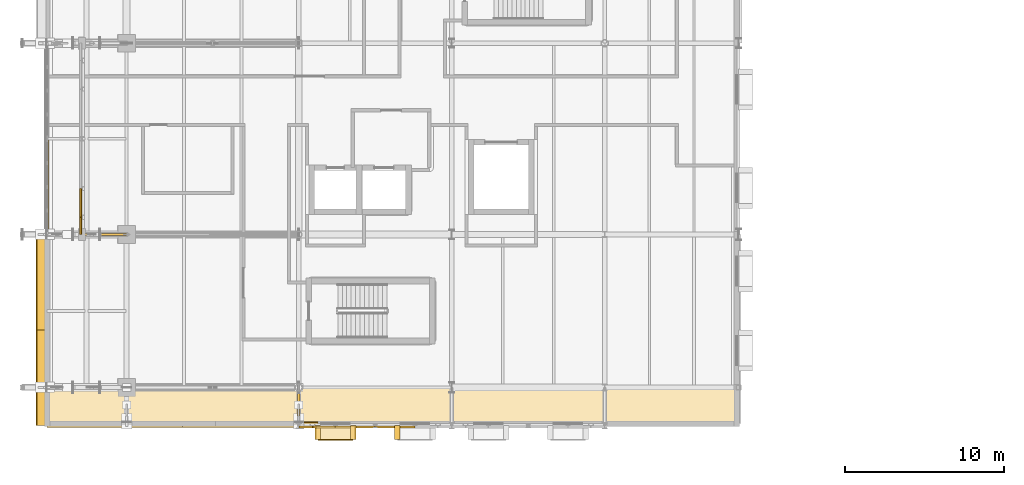
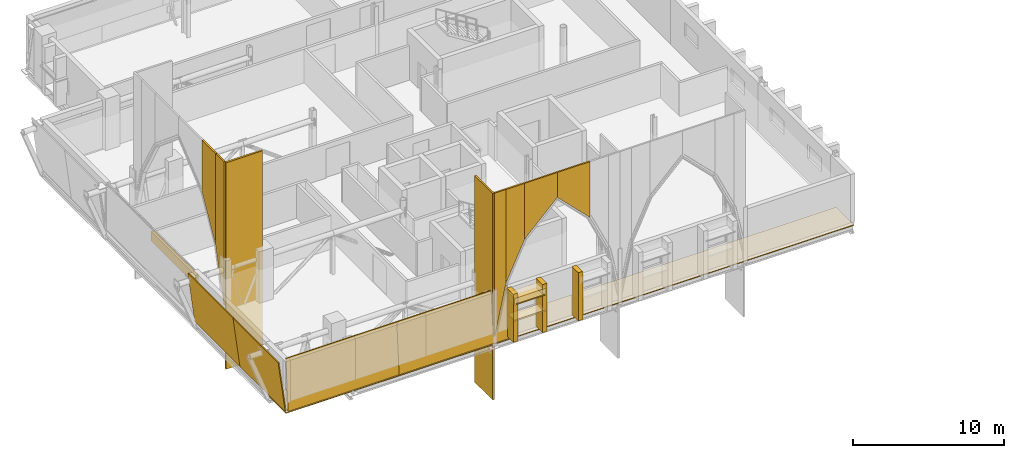
# One storey, part 71 of 90: 19 coverings, 1 shading device.
"""IFC4 building model written with IfcOpenShell, lengths in metres."""

import ifcopenshell
import ifcopenshell.guid

model = None  # the IFC model being written
_history = None  # IfcOwnerHistory: only IFC2X3 demands one
_inside = {}  # id of a spatial element -> (the spatial element, [elements in it])
_under = {}  # id of a project, library or spatial element -> (it, [spatial elements below it])
_declared = {}  # id of a project -> (the project, [libraries it declares])
_typed = {}  # id of a type object -> (the type object, [elements of that type])
_made_of = {}  # id of a material, layer set ... -> (it, [elements and type objects made of it])


def new_model(schema):
    """Start an empty IFC model of exactly this schema.

    Asked for "IFC4X3", IfcOpenShell would pick the latest addendum, in which some entities
    have other attributes; the version numbers below select the first issue.
    IFC2X3 requires an IfcOwnerHistory on every rooted entity: one is made here for all.
    """
    global model, _history
    if schema == "IFC4X3":
        model = ifcopenshell.file(schema_version=(4, 3, 0, 0))
    else:
        model = ifcopenshell.file(schema=schema)
    _inside.clear()
    _under.clear()
    _declared.clear()
    _typed.clear()
    _made_of.clear()
    _history = None
    if model.schema == "IFC2X3":
        org = make("IfcOrganization", Name="unknown")
        user = make(
            "IfcPersonAndOrganization",
            ThePerson=make("IfcPerson", FamilyName="unknown"),
            TheOrganization=org,
        )
        app = make(
            "IfcApplication",
            ApplicationDeveloper=org,
            Version="unknown",
            ApplicationFullName="unknown",
            ApplicationIdentifier="unknown",
        )
        _history = make(
            "IfcOwnerHistory",
            OwningUser=user,
            OwningApplication=app,
            ChangeAction="ADDED",
            CreationDate=0,
        )
    return model


def make(cls, **values):
    """One entity of the class cls with the attributes given. An attribute that is None is left unset."""
    return model.create_entity(
        cls, **{name: value for name, value in values.items() if value is not None}
    )


def rooted(cls, **values):
    """An entity with a GlobalId (a new one), such as an element, a storey or a relation."""
    return make(cls, GlobalId=ifcopenshell.guid.new(), OwnerHistory=_history, **values)


def si_unit(unit_type, name, prefix=None):
    """IfcSIUnit, for example si_unit("LENGTHUNIT", "METRE", prefix="MILLI")."""
    return make("IfcSIUnit", UnitType=unit_type, Prefix=prefix, Name=name)


def assignment(units):
    """IfcUnitAssignment: the units of a project."""
    return None if units is None else make("IfcUnitAssignment", Units=units)


def point(xyz):
    """IfcCartesianPoint."""
    return None if xyz is None else make("IfcCartesianPoint", Coordinates=xyz)


def direction(xyz):
    """IfcDirection."""
    return None if xyz is None else make("IfcDirection", DirectionRatios=xyz)


def frame(location, z_axis=None, x_axis=None):
    """IfcAxis2Placement3D, a coordinate frame: its origin and axes. An axis left out is left unset."""
    return make(
        "IfcAxis2Placement3D",
        Location=point(location),
        Axis=direction(z_axis),
        RefDirection=direction(x_axis),
    )


def frame_2d(location, x_axis=None):
    """IfcAxis2Placement2D, a coordinate frame in the plane: its origin and x axis."""
    return make(
        "IfcAxis2Placement2D", Location=point(location), RefDirection=direction(x_axis)
    )


def origin():
    """The frame at (0, 0, 0) with its axes left unset."""
    return frame((0.0, 0.0, 0.0))


def origin_2d():
    """The frame at (0, 0) in the plane with its x axis left unset."""
    return frame_2d((0.0, 0.0))


def place(relative_to, where):
    """IfcLocalPlacement: puts the frame where relative to a parent placement (None: the world)."""
    return make(
        "IfcLocalPlacement", PlacementRelTo=relative_to, RelativePlacement=where
    )


def context(
    kind, dimensions, precision=None, world=None, true_north=None, identifier=None
):
    """IfcGeometricRepresentationContext, for example the 3D "Model" context."""
    return make(
        "IfcGeometricRepresentationContext",
        ContextIdentifier=identifier,
        ContextType=kind,
        CoordinateSpaceDimension=dimensions,
        Precision=precision,
        WorldCoordinateSystem=world,
        TrueNorth=true_north,
    )


def subcontext(parent, identifier, kind, view, scale=None):
    """IfcGeometricRepresentationSubContext, for example "Body" below "Model"."""
    return make(
        "IfcGeometricRepresentationSubContext",
        ContextIdentifier=identifier,
        ContextType=kind,
        ParentContext=parent,
        TargetScale=scale,
        TargetView=view,
    )


def project(units=None, contexts=None):
    """IfcProject with its units and contexts."""
    return rooted(
        "IfcProject",
        Name="project",
        RepresentationContexts=contexts,
        UnitsInContext=assignment(units),
    )


def spatial(cls, under=None, at=None, **own):
    """A site, building, storey or space (cls), placed at a placement, below another one or the project."""
    s = rooted(cls, ObjectPlacement=at, **own)
    if under is not None:
        _under.setdefault(under.id(), (under, []))[1].append(s)
    return s


def polyline(points):
    """IfcPolyline through the points."""
    return make("IfcPolyline", Points=[point(p) for p in points])


def profile(cls, at=None, kind="AREA", **sizes):
    """A parametric profile (cls). Its sizes go by their IFC names, for example OverallWidth=200.0."""
    return make(cls, ProfileType=kind, Position=at, **sizes)


def rectangle(**sizes):
    """IfcRectangleProfileDef."""
    return profile("IfcRectangleProfileDef", **sizes)


def outline(outer, holes=None, kind="AREA"):
    """IfcArbitraryClosedProfileDef: a profile drawn as a closed curve; with holes, ...WithVoids."""
    if holes is None:
        return make("IfcArbitraryClosedProfileDef", ProfileType=kind, OuterCurve=outer)
    return make(
        "IfcArbitraryProfileDefWithVoids",
        ProfileType=kind,
        OuterCurve=outer,
        InnerCurves=holes,
    )


def extrude(swept, where, along, depth):
    """IfcExtrudedAreaSolid: the profile swept, set in the frame where, extruded along a direction by depth."""
    return make(
        "IfcExtrudedAreaSolid",
        SweptArea=swept,
        Position=where,
        ExtrudedDirection=direction(along),
        Depth=depth,
    )


def shape(context_of_items, identifier, shape_type, items):
    """IfcShapeRepresentation: the items that make up one representation, for example the "Body"."""
    return make(
        "IfcShapeRepresentation",
        ContextOfItems=context_of_items,
        RepresentationIdentifier=identifier,
        RepresentationType=shape_type,
        Items=items,
    )


def material(Name=None, Category=None):
    """IfcMaterial."""
    return make("IfcMaterial", Name=Name, Category=Category)


def layer(
    of_material, thickness, ventilated=None, Name=None, Category=None, Priority=None
):
    """IfcMaterialLayer: one layer of a wall or slab, of a material (None: an air gap)."""
    return make(
        "IfcMaterialLayer",
        Material=of_material,
        LayerThickness=thickness,
        IsVentilated=ventilated,
        Name=Name,
        Category=Category,
        Priority=Priority,
    )


def layer_set(layers, Name=None):
    """IfcMaterialLayerSet."""
    return make("IfcMaterialLayerSet", MaterialLayers=layers, LayerSetName=Name)


def made_of(thing, what):
    """Note that an element or type object is made of a material, layer set ...; save() writes the relation."""
    if what is not None:
        _made_of.setdefault(what.id(), (what, []))[1].append(thing)
    return thing


def type_object(cls, material=None, **own):
    """A type object (cls), such as IfcWallType, which elements share."""
    return made_of(rooted(cls, **own), material)


def element(
    cls,
    number,
    at=None,
    inside=None,
    cuts=None,
    type_object=None,
    material=None,
    context=None,
    identifier="Body",
    shape_type=None,
    held_by="IfcProductDefinitionShape",
    body=None,
    shapes=None,
    **own,
):
    """One element of the class cls, such as IfcWall. Its Tag is "e" and its number.

    at: its placement. inside: the storey or other place that contains it. cuts: it is an
    opening in that element (IfcRelVoidsElement). A single representation is given by context,
    identifier, shape_type and body (its items); several are given by shapes. held_by: the class
    of the entity that holds the representations. save() writes the other relations.
    """
    e = rooted(cls, Tag="e%d" % number, ObjectPlacement=at, **own)
    if body is not None:
        shapes = [shape(context, identifier, shape_type, body)]
    if shapes is not None:
        e.Representation = make(held_by, Representations=shapes)
    if inside is not None:
        _inside.setdefault(inside.id(), (inside, []))[1].append(e)
    if cuts is not None:
        rooted(
            "IfcRelVoidsElement", RelatingBuildingElement=cuts, RelatedOpeningElement=e
        )
    if type_object is not None:
        _typed.setdefault(type_object.id(), (type_object, []))[1].append(e)
    return made_of(e, material)


def aggregate(whole, parts):
    """IfcRelAggregates: a whole, such as a stair, and the parts it consists of."""
    return rooted("IfcRelAggregates", RelatingObject=whole, RelatedObjects=parts)


def save(model, path):
    """Write the relations noted so far, then the file.

    IfcRelAggregates (storeys below a building ...), IfcRelContainedInSpatialStructure (elements
    in a storey), IfcRelDefinesByType, IfcRelAssociatesMaterial and IfcRelDeclares: one each for
    every whole, place, type object, material and project.
    """
    for whole, parts in _under.values():
        aggregate(whole, parts)
    for where, things in _inside.values():
        rooted(
            "IfcRelContainedInSpatialStructure",
            RelatedElements=things,
            RelatingStructure=where,
        )
    for kind, things in _typed.values():
        rooted("IfcRelDefinesByType", RelatedObjects=things, RelatingType=kind)
    for what, things in _made_of.values():
        rooted("IfcRelAssociatesMaterial", RelatedObjects=things, RelatingMaterial=what)
    for by, libraries in _declared.values():
        rooted("IfcRelDeclares", RelatingContext=by, RelatedDefinitions=libraries)
    model.write(path)


model = new_model("IFC4")

# Units and contexts
model_context = context("Model", 3, precision=1e-05, world=origin(), true_north=direction((0.0, 1.0)))
body_context = subcontext(model_context, "Body", "Model", "MODEL_VIEW")
ifc_project = project(units=[si_unit("LENGTHUNIT", "METRE"), si_unit("AREAUNIT", "SQUARE_METRE"), si_unit("VOLUMEUNIT", "CUBIC_METRE"), si_unit("PLANEANGLEUNIT", "RADIAN"), si_unit("MASSUNIT", "GRAM", prefix="KILO")], contexts=[model_context])

# Site, building, storey
site_placement = place(None, origin())
site = spatial("IfcSite", under=ifc_project, at=site_placement, CompositionType="ELEMENT")
building_placement = place(site_placement, origin())
building = spatial("IfcBuilding", under=site, at=building_placement, Name="Zereglee Splitstone Museum", CompositionType="ELEMENT")
storey_placement = place(building_placement, frame((0.0, 0.0, 4.800048828125)))
storey = spatial("IfcBuildingStorey", under=building, at=storey_placement, Name="L01", CompositionType="ELEMENT", Elevation=4.800048828125)

# Coverings
ifc_material_1 = material(Name="Honed Gobi pale limestone stringcourse and soffit cladding", Category="masonry")
ifc_layer_1 = layer(ifc_material_1, 0.070068359375)
ifc_layer_set_1 = layer_set([ifc_layer_1], Name="Honed Gobi pale limestone stringcourse and soffit cladding")
covering_type_1 = type_object("IfcCoveringType", Name="CL-02", PredefinedType="CLADDING", material=ifc_layer_set_1)
covering_1_placement = place(storey_placement, frame((4.6201171875, 12.580078125, 2.784912109375), z_axis=(0.0, 0.0, 1.0), x_axis=(0.0, -1.0, 0.0)))
element("IfcCovering", 1, at=covering_1_placement, inside=storey, type_object=covering_type_1, Name="Mughal Carved Clerestory Jaali Frieze RC4-CW-L01-095-2", PredefinedType="CLADDING", context=body_context, shape_type="SweptSolid", body=[
    extrude(rectangle(XDim=5.8798828125, YDim=0.239990234375, at=origin_2d()), origin(), (0.0, 0.0, 1.0), 0.75),
])
for number, where, z_axis, x_axis, name in (
    (2, (21.590087890625, -2.824951171875, 0.0), (0.0, 0.0, 1.0), (1.0, 0.0, 0.0), "Mughal Window Reveal Stone Pilaster L01-0021L"),
    (3, (23.830078125, -2.824951171875, 0.0), (0.0, 0.0, 1.0), (1.0, 0.0, 0.0), "Mughal Window Reveal Stone Pilaster L01-0021R"),
):
    element("IfcCovering", number, at=place(storey_placement, frame(where, z_axis=z_axis, x_axis=x_axis)), inside=storey, type_object=covering_type_1, Name=name, PredefinedType="CLADDING", context=body_context, shape_type="SweptSolid", body=[
        extrude(rectangle(XDim=0.340087890625, YDim=0.860107421875, at=origin_2d()), origin(), (0.0, 0.0, 1.0), 3.89990234375),
    ])
covering_2_placement = place(storey_placement, frame((22.7099609375, -2.8349609375, 1.659912109375), z_axis=(0.0, 0.0, 1.0), x_axis=(1.0, 0.0, 0.0)))
element("IfcCovering", 4, at=covering_2_placement, inside=storey, type_object=covering_type_1, Name="Carved Limestone Window Sill L01-0021", PredefinedType="CLADDING", context=body_context, shape_type="SweptSolid", body=[
    extrude(rectangle(XDim=2.43994140625, YDim=0.840087890625, at=origin_2d()), origin(), (0.0, 0.0, 1.0), 0.1201171875),
])
covering_3_placement = place(storey_placement, frame((26.570068359375, -2.824951171875, 0.0), z_axis=(0.0, 0.0, 1.0), x_axis=(1.0, 0.0, 0.0)))
element("IfcCovering", 5, at=covering_3_placement, inside=storey, type_object=covering_type_1, Name="Mughal Window Reveal Stone Pilaster L01-0022L", PredefinedType="CLADDING", context=body_context, shape_type="SweptSolid", body=[
    extrude(rectangle(XDim=0.340087890625, YDim=0.860107421875, at=origin_2d()), origin(), (0.0, 0.0, 1.0), 3.89990234375),
])
covering_4_placement = place(storey_placement, frame((0.0, 0.0, -0.35009765625)))
element("IfcCovering", 6, at=covering_4_placement, inside=storey, type_object=covering_type_1, Name="Hovering Stone Plinth Soffit Apron 001", PredefinedType="CLADDING", context=body_context, shape_type="SweptSolid", body=[
    extrude(outline(polyline([(4.5, -2.39990234375), (48.0, -2.39990234375), (48.0, -0.050048828125), (4.5, -0.050048828125), (4.5, -2.39990234375)])), origin(), (0.0, 0.0, 1.0), 0.070068359375),
])
for number, where, z_axis, x_axis, name in (
    (7, (4.60009765625, -2.510009765625, -0.150146484375), (0.0, -0.997044698958, 0.076823617986), (1.0, 0.0, 0.0), "Split-Rock Continuous Inclined Facet FH-V1S-W L01.1"),
    (8, (13.10009765625, -2.510009765625, -0.150146484375), (0.0, -0.997044698958, 0.076823617986), (1.0, 0.0, 0.0), "Split-Rock Continuous Inclined Facet FH-V1S-W L01.2"),
):
    element("IfcCovering", number, at=place(storey_placement, frame(where, z_axis=z_axis, x_axis=x_axis)), inside=storey, type_object=covering_type_1, Name=name, PredefinedType="CLADDING", context=body_context, shape_type="SweptSolid", body=[
        extrude(outline(polyline([(0.0, 0.0), (8.5, 0.0), (8.5, 4.1122505947188905), (0.0, 4.1122505947188905), (0.0, 0.0)])), origin(), (0.0, 0.0, -1.0), 0.070068359375),
    ])
covering_5_placement = place(storey_placement, frame((0.0, 0.0, -4.800048828125)))
element("IfcCovering", 9, at=covering_5_placement, inside=storey, type_object=covering_type_1, Name="Mughal Iwan Stone Cheek Return PSQ-WEST-1", PredefinedType="CLADDING", context=body_context, shape_type="SweptSolid", body=[
    extrude(outline(polyline([(6.800048828125, 9.530029296875), (9.60009765625, 9.530029296875), (9.60009765625, 9.669921875), (6.800048828125, 9.669921875), (6.800048828125, 9.530029296875)])), origin(), (0.0, 0.0, 1.0), 16.72509765625),
])
covering_6_placement = place(storey_placement, frame((0.0, 0.0, -4.800048828125)))
element("IfcCovering", 10, at=covering_6_placement, inside=storey, type_object=covering_type_1, Name="Mughal Iwan Stone Cheek Return PSQ-SV1-1", PredefinedType="CLADDING", context=body_context, shape_type="SweptSolid", body=[
    extrude(outline(polyline([(20.330078125, -2.39990234375), (20.469970703125, -2.39990234375), (20.469970703125, 0.0), (20.330078125, 0.0), (20.330078125, -2.39990234375)])), origin(), (0.0, 0.0, 1.0), 16.72509765625),
])
ifc_material_2 = material(Name="Honed Khoroo red sandstone ventilated rainscreen", Category="masonry")
ifc_layer_2 = layer(ifc_material_2, 0.080078125)
ifc_layer_set_2 = layer_set([ifc_layer_2], Name="Honed Khoroo red sandstone ventilated rainscreen")
covering_type_2 = type_object("IfcCoveringType", Name="CL-01", PredefinedType="CLADDING", material=ifc_layer_set_2)
covering_7_placement = place(storey_placement, frame((22.7099609375, -2.8349609375, 2.9599609375), z_axis=(0.0, 0.0, 1.0), x_axis=(1.0, 0.0, 0.0)))
element("IfcCovering", 11, at=covering_7_placement, inside=storey, type_object=covering_type_2, Name="Pointed-Arch Mughal Window Hood L01-0021", PredefinedType="CLADDING", context=body_context, shape_type="SweptSolid", body=[
    extrude(rectangle(XDim=2.43994140625, YDim=0.860107421875, at=origin_2d()), origin(), (0.0, 0.0, 1.0), 0.580078125),
])
for number, where, z_axis, x_axis, name in (
    (12, (3.899169921875, -2.39990234375, 3.949951171875), (-0.991725076639, 0.0, -0.128379797345), (0.0, 1.0, 0.0), "Split-Rock Continuous Inclined Facet FH-V1W-S L01.1"),
    (13, (3.899169921875, 3.60009765625, 3.949951171875), (-0.991725076639, 0.0, -0.128379797345), (0.0, 1.0, 0.0), "Split-Rock Continuous Inclined Facet FH-V1W-S L01.2"),
):
    element("IfcCovering", number, at=place(storey_placement, frame(where, z_axis=z_axis, x_axis=x_axis)), inside=storey, type_object=covering_type_2, Name=name, PredefinedType="CLADDING", context=body_context, shape_type="SweptSolid", body=[
        extrude(outline(polyline([(0.0, 0.0), (6.0, 0.0), (6.0, 4.134308744261512), (0.0, 4.134308744261512), (0.0, 0.0)])), origin(), (0.0, 0.0, -1.0), 0.080078125),
    ])
covering_8_placement = place(storey_placement, frame((6.659912109375, 9.60009765625, 12.014892578125), z_axis=(-1.0, 0.0, 0.0), x_axis=(0.0, 1.0, 0.0)))
element("IfcCovering", 14, at=covering_8_placement, inside=storey, type_object=covering_type_2, Name="Mughal Pishtaq Pointed-Arch Stone Voussoir PSQ-WEST-1-1", PredefinedType="CLADDING", context=body_context, shape_type="SweptSolid", body=[
    extrude(outline(polyline([(0.0, 0.0), (1.079833984375, 0.0), (1.079833984375, 7.4150390625), (0.0, 11.614990234375), (0.0, 0.0)])), origin(), (0.0, 0.0, -1.0), 0.1201171875),
])
covering_9_placement = place(storey_placement, frame((6.659912109375, 10.679931640625, 12.014892578125), z_axis=(-1.0, 0.0, 0.0), x_axis=(0.0, 1.0, 0.0)))
element("IfcCovering", 15, at=covering_9_placement, inside=storey, type_object=covering_type_2, Name="Mughal Pishtaq Pointed-Arch Stone Voussoir PSQ-WEST-1-2", PredefinedType="CLADDING", context=body_context, shape_type="SweptSolid", body=[
    extrude(outline(polyline([(0.0, 0.0), (1.800048828125, 0.0), (1.800048828125, 4.21484375), (0.0, 7.4150390625), (0.0, 0.0)])), origin(), (0.0, 0.0, -1.0), 0.1201171875),
])
covering_10_placement = place(storey_placement, frame((20.39990234375, -2.5400390625, 0.39990234375), z_axis=(0.0, -1.0, 0.0), x_axis=(0.209533132125, 0.0, 0.977801547627)))
element("IfcCovering", 16, at=covering_10_placement, inside=storey, type_object=covering_type_2, Name="Mughal Pishtaq Pointed-Arch Stone Voussoir PSQ-SV1-1-1", PredefinedType="CLADDING", context=body_context, shape_type="SweptSolid", body=[
    extrude(outline(polyline([(0.0, 0.0), (4.123518142981296, -1.1102230246251565e-16), (11.538194917711202, 1.5888913778849005), (11.35715542684402, 2.4337252834151366), (0.0, 0.0)])), origin(), (0.0, 0.0, -1.0), 0.1201171875),
])
covering_11_placement = place(storey_placement, frame((21.263916015625, -2.5400390625, 4.431884765625), z_axis=(0.0, -1.0, 0.0), x_axis=(0.424476278162, 0.0, 0.905439058843)))
element("IfcCovering", 17, at=covering_11_placement, inside=storey, type_object=covering_type_2, Name="Mughal Pishtaq Pointed-Arch Stone Voussoir PSQ-SV1-1-2", PredefinedType="CLADDING", context=body_context, shape_type="SweptSolid", body=[
    extrude(outline(polyline([(0.0, 0.0), (3.3928528423568896, 0.0), (7.477276057746144, 1.9148066874021463), (6.865951456945945, 3.2188069335233354), (0.0, 0.0)])), origin(), (0.0, 0.0, -1.0), 0.1201171875),
])
covering_12_placement = place(storey_placement, frame((22.7041015625, -2.5400390625, 7.50390625), z_axis=(0.0, -1.0, 0.0), x_axis=(0.707072197919, 0.0, 0.707141362763)))
element("IfcCovering", 18, at=covering_12_placement, inside=storey, type_object=covering_type_2, Name="Mughal Pishtaq Pointed-Arch Stone Voussoir PSQ-SV1-1-3", PredefinedType="CLADDING", context=body_context, shape_type="SweptSolid", body=[
    extrude(outline(polyline([(0.0, 0.0), (3.5298370049347043, 0.0), (4.954650888450619, 1.4246745237855234), (3.1899050194745606, 3.1895930178099015), (0.0, 0.0)])), origin(), (0.0, 0.0, -1.0), 0.1201171875),
])
covering_13_placement = place(storey_placement, frame((25.199951171875, -2.5400390625, 10.0), z_axis=(0.0, -1.0, 0.0), x_axis=(0.707106781187, 0.0, -0.707106781187)))
element("IfcCovering", 19, at=covering_13_placement, inside=storey, type_object=covering_type_2, Name="Mughal Pishtaq Pointed-Arch Stone Voussoir PSQ-SV1-1-4", PredefinedType="CLADDING", context=body_context, shape_type="SweptSolid", body=[
    extrude(outline(polyline([(0.0, 0.0), (3.530009634204718, 0.0), (0.3402606117477258, 3.1897490224569918), (-1.424744205354633, 1.424744205354633), (0.0, 0.0)])), origin(), (0.0, 0.0, -1.0), 0.1201171875),
])

# Shading device
ifc_material_3 = material(Name="Anodised bronze extruded aluminium chhajja brise-soleil", Category="aluminium")
ifc_layer_3 = layer(ifc_material_3, 0.080078125)
ifc_layer_set_3 = layer_set([ifc_layer_3], Name="Anodised bronze extruded aluminium chhajja brise-soleil")
shading_device_type = type_object("IfcShadingDeviceType", Name="SH-01", PredefinedType="SHUTTER", material=ifc_layer_set_3)
shading_device_placement = place(storey_placement, frame((22.7099609375, -2.8349609375, 3.039794921875), z_axis=(0.0, 0.0, 1.0), x_axis=(1.0, 0.0, 0.0)))
element("IfcShadingDevice", 20, at=shading_device_placement, inside=storey, type_object=shading_device_type, Name="Chhajja Window Brise-Soleil 14", PredefinedType="SHUTTER", context=body_context, shape_type="SweptSolid", body=[
    extrude(rectangle(XDim=2.199951171875, YDim=0.97998046875, at=origin_2d()), origin(), (0.0, 0.0, 1.0), 0.080078125),
])

save(model, "model.ifc")
